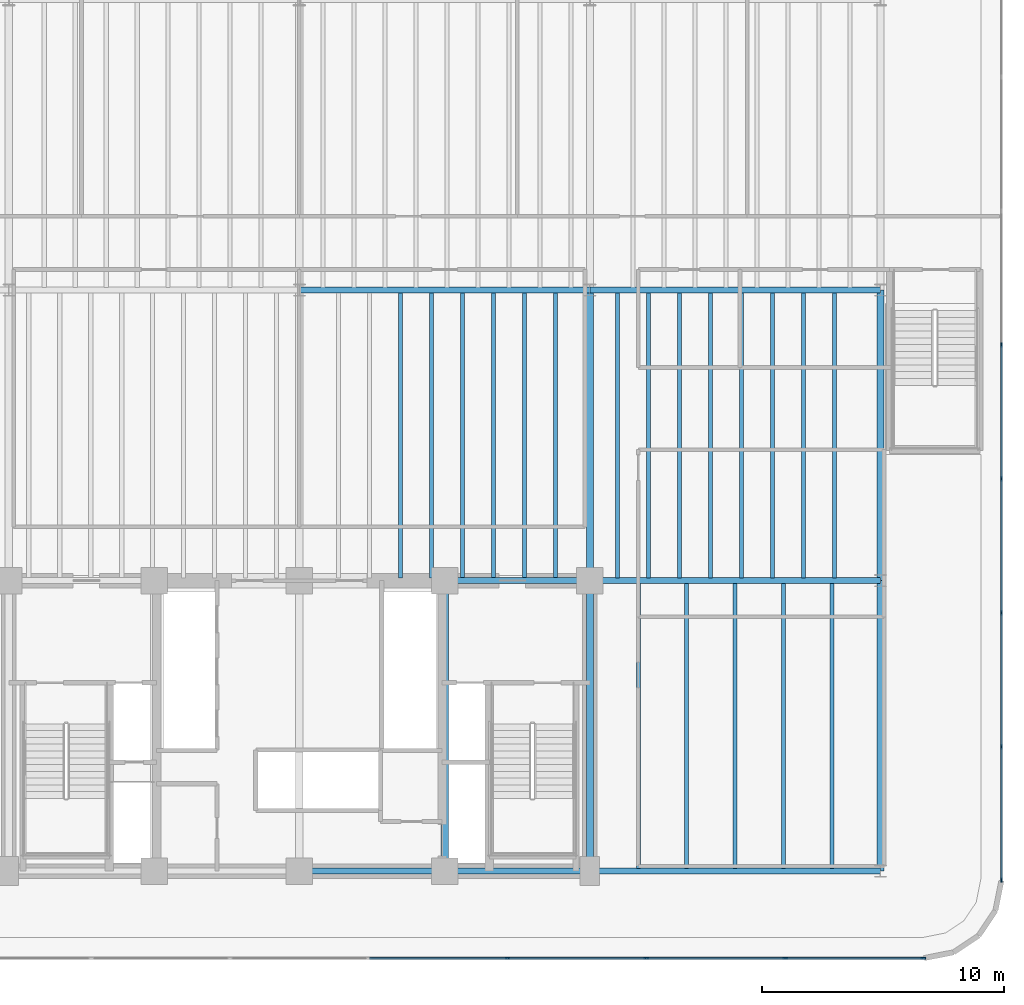
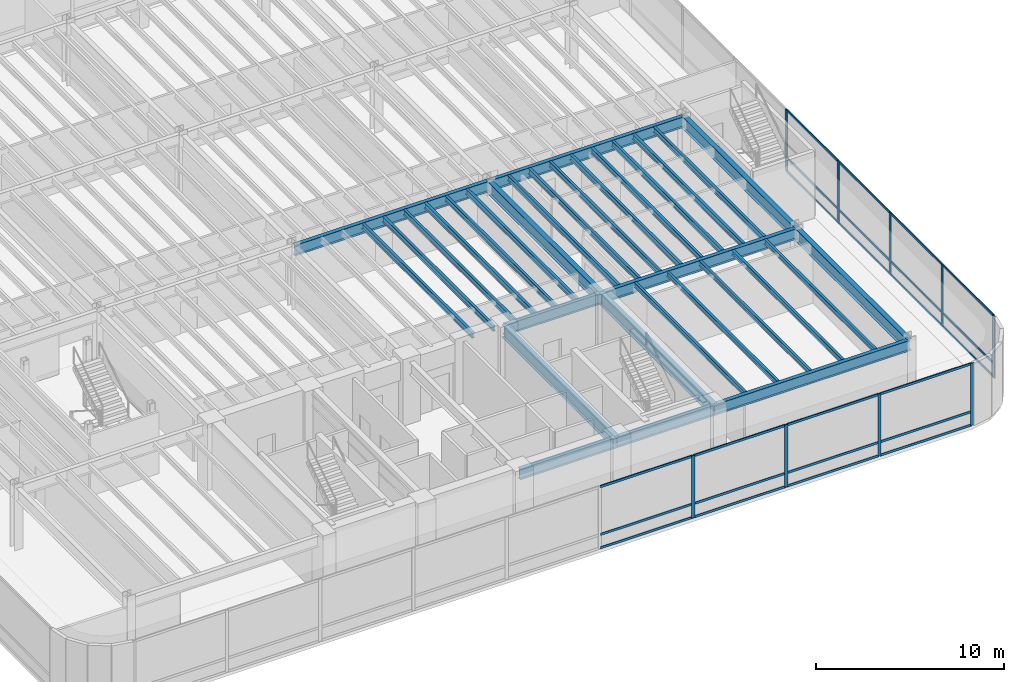
# One storey, part 5 of 18: 33 members, 31 beams, 2 elements without a shape of their own.
"""IFC4 building model written with IfcOpenShell, lengths in metres."""

import ifcopenshell
import ifcopenshell.guid

model = None  # the IFC model being written
_history = None  # IfcOwnerHistory: only IFC2X3 demands one
_inside = {}  # id of a spatial element -> (the spatial element, [elements in it])
_under = {}  # id of a project, library or spatial element -> (it, [spatial elements below it])
_declared = {}  # id of a project -> (the project, [libraries it declares])
_typed = {}  # id of a type object -> (the type object, [elements of that type])
_made_of = {}  # id of a material, layer set ... -> (it, [elements and type objects made of it])


def new_model(schema):
    """Start an empty IFC model of exactly this schema.

    Asked for "IFC4X3", IfcOpenShell would pick the latest addendum, in which some entities
    have other attributes; the version numbers below select the first issue.
    IFC2X3 requires an IfcOwnerHistory on every rooted entity: one is made here for all.
    """
    global model, _history
    if schema == "IFC4X3":
        model = ifcopenshell.file(schema_version=(4, 3, 0, 0))
    else:
        model = ifcopenshell.file(schema=schema)
    _inside.clear()
    _under.clear()
    _declared.clear()
    _typed.clear()
    _made_of.clear()
    _history = None
    if model.schema == "IFC2X3":
        org = make("IfcOrganization", Name="unknown")
        user = make(
            "IfcPersonAndOrganization",
            ThePerson=make("IfcPerson", FamilyName="unknown"),
            TheOrganization=org,
        )
        app = make(
            "IfcApplication",
            ApplicationDeveloper=org,
            Version="unknown",
            ApplicationFullName="unknown",
            ApplicationIdentifier="unknown",
        )
        _history = make(
            "IfcOwnerHistory",
            OwningUser=user,
            OwningApplication=app,
            ChangeAction="ADDED",
            CreationDate=0,
        )
    return model


def make(cls, **values):
    """One entity of the class cls with the attributes given. An attribute that is None is left unset."""
    return model.create_entity(
        cls, **{name: value for name, value in values.items() if value is not None}
    )


def rooted(cls, **values):
    """An entity with a GlobalId (a new one), such as an element, a storey or a relation."""
    return make(cls, GlobalId=ifcopenshell.guid.new(), OwnerHistory=_history, **values)


def si_unit(unit_type, name, prefix=None):
    """IfcSIUnit, for example si_unit("LENGTHUNIT", "METRE", prefix="MILLI")."""
    return make("IfcSIUnit", UnitType=unit_type, Prefix=prefix, Name=name)


def assignment(units):
    """IfcUnitAssignment: the units of a project."""
    return None if units is None else make("IfcUnitAssignment", Units=units)


def point(xyz):
    """IfcCartesianPoint."""
    return None if xyz is None else make("IfcCartesianPoint", Coordinates=xyz)


def direction(xyz):
    """IfcDirection."""
    return None if xyz is None else make("IfcDirection", DirectionRatios=xyz)


def frame(location, z_axis=None, x_axis=None):
    """IfcAxis2Placement3D, a coordinate frame: its origin and axes. An axis left out is left unset."""
    return make(
        "IfcAxis2Placement3D",
        Location=point(location),
        Axis=direction(z_axis),
        RefDirection=direction(x_axis),
    )


def frame_2d(location, x_axis=None):
    """IfcAxis2Placement2D, a coordinate frame in the plane: its origin and x axis."""
    return make(
        "IfcAxis2Placement2D", Location=point(location), RefDirection=direction(x_axis)
    )


def origin():
    """The frame at (0, 0, 0) with its axes left unset."""
    return frame((0.0, 0.0, 0.0))


def origin_2d():
    """The frame at (0, 0) in the plane with its x axis left unset."""
    return frame_2d((0.0, 0.0))


def place(relative_to, where):
    """IfcLocalPlacement: puts the frame where relative to a parent placement (None: the world)."""
    return make(
        "IfcLocalPlacement", PlacementRelTo=relative_to, RelativePlacement=where
    )


def context(
    kind, dimensions, precision=None, world=None, true_north=None, identifier=None
):
    """IfcGeometricRepresentationContext, for example the 3D "Model" context."""
    return make(
        "IfcGeometricRepresentationContext",
        ContextIdentifier=identifier,
        ContextType=kind,
        CoordinateSpaceDimension=dimensions,
        Precision=precision,
        WorldCoordinateSystem=world,
        TrueNorth=true_north,
    )


def subcontext(parent, identifier, kind, view, scale=None):
    """IfcGeometricRepresentationSubContext, for example "Body" below "Model"."""
    return make(
        "IfcGeometricRepresentationSubContext",
        ContextIdentifier=identifier,
        ContextType=kind,
        ParentContext=parent,
        TargetScale=scale,
        TargetView=view,
    )


def project(units=None, contexts=None):
    """IfcProject with its units and contexts."""
    return rooted(
        "IfcProject",
        Name="project",
        RepresentationContexts=contexts,
        UnitsInContext=assignment(units),
    )


def spatial(cls, under=None, at=None, **own):
    """A site, building, storey or space (cls), placed at a placement, below another one or the project."""
    s = rooted(cls, ObjectPlacement=at, **own)
    if under is not None:
        _under.setdefault(under.id(), (under, []))[1].append(s)
    return s


def profile(cls, at=None, kind="AREA", **sizes):
    """A parametric profile (cls). Its sizes go by their IFC names, for example OverallWidth=200.0."""
    return make(cls, ProfileType=kind, Position=at, **sizes)


def rectangle(**sizes):
    """IfcRectangleProfileDef."""
    return profile("IfcRectangleProfileDef", **sizes)


def i_section(**sizes):
    """IfcIShapeProfileDef."""
    return profile("IfcIShapeProfileDef", **sizes)


def extrude(swept, where, along, depth):
    """IfcExtrudedAreaSolid: the profile swept, set in the frame where, extruded along a direction by depth."""
    return make(
        "IfcExtrudedAreaSolid",
        SweptArea=swept,
        Position=where,
        ExtrudedDirection=direction(along),
        Depth=depth,
    )


def shape(context_of_items, identifier, shape_type, items):
    """IfcShapeRepresentation: the items that make up one representation, for example the "Body"."""
    return make(
        "IfcShapeRepresentation",
        ContextOfItems=context_of_items,
        RepresentationIdentifier=identifier,
        RepresentationType=shape_type,
        Items=items,
    )


def source(mapping_origin, context_of_items, identifier, shape_type, items):
    """IfcRepresentationMap: a shape defined once, which mapped items show again and again."""
    return make(
        "IfcRepresentationMap",
        MappingOrigin=mapping_origin,
        MappedRepresentation=shape(context_of_items, identifier, shape_type, items),
    )


def transform(
    local_origin,
    x_axis=None,
    y_axis=None,
    z_axis=None,
    scale=None,
    scale2=None,
    scale3=None,
    uniform=True,
):
    """IfcCartesianTransformationOperator3D, or its non-uniform kind. x_axis, y_axis, z_axis: its Axis1, 2, 3."""
    if uniform:
        return make(
            "IfcCartesianTransformationOperator3D",
            Axis1=direction(x_axis),
            Axis2=direction(y_axis),
            LocalOrigin=point(local_origin),
            Scale=scale,
            Axis3=direction(z_axis),
        )
    return make(
        "IfcCartesianTransformationOperator3DnonUniform",
        Axis1=direction(x_axis),
        Axis2=direction(y_axis),
        LocalOrigin=point(local_origin),
        Scale=scale,
        Axis3=direction(z_axis),
        Scale2=scale2,
        Scale3=scale3,
    )


def mapped(mapping_source, mapping_target):
    """IfcMappedItem: shows the shape of a source again, moved by a transform."""
    return make(
        "IfcMappedItem", MappingSource=mapping_source, MappingTarget=mapping_target
    )


def material(Name=None, Category=None):
    """IfcMaterial."""
    return make("IfcMaterial", Name=Name, Category=Category)


def layer(
    of_material, thickness, ventilated=None, Name=None, Category=None, Priority=None
):
    """IfcMaterialLayer: one layer of a wall or slab, of a material (None: an air gap)."""
    return make(
        "IfcMaterialLayer",
        Material=of_material,
        LayerThickness=thickness,
        IsVentilated=ventilated,
        Name=Name,
        Category=Category,
        Priority=Priority,
    )


def layer_set(layers, Name=None):
    """IfcMaterialLayerSet."""
    return make("IfcMaterialLayerSet", MaterialLayers=layers, LayerSetName=Name)


def material_profile(
    of_material, cross_section, Name=None, Category=None, Priority=None
):
    """IfcMaterialProfile: a cross section and its material."""
    return make(
        "IfcMaterialProfile",
        Name=Name,
        Material=of_material,
        Profile=cross_section,
        Priority=Priority,
        Category=Category,
    )


def profile_set(profiles, Name=None, composite=None):
    """IfcMaterialProfileSet."""
    return make(
        "IfcMaterialProfileSet",
        Name=Name,
        MaterialProfiles=profiles,
        CompositeProfile=composite,
    )


def made_of(thing, what):
    """Note that an element or type object is made of a material, layer set ...; save() writes the relation."""
    if what is not None:
        _made_of.setdefault(what.id(), (what, []))[1].append(thing)
    return thing


def type_object(cls, material=None, **own):
    """A type object (cls), such as IfcWallType, which elements share."""
    return made_of(rooted(cls, **own), material)


def element(
    cls,
    number,
    at=None,
    inside=None,
    cuts=None,
    type_object=None,
    material=None,
    context=None,
    identifier="Body",
    shape_type=None,
    held_by="IfcProductDefinitionShape",
    body=None,
    shapes=None,
    **own,
):
    """One element of the class cls, such as IfcWall. Its Tag is "e" and its number.

    at: its placement. inside: the storey or other place that contains it. cuts: it is an
    opening in that element (IfcRelVoidsElement). A single representation is given by context,
    identifier, shape_type and body (its items); several are given by shapes. held_by: the class
    of the entity that holds the representations. save() writes the other relations.
    """
    e = rooted(cls, Tag="e%d" % number, ObjectPlacement=at, **own)
    if body is not None:
        shapes = [shape(context, identifier, shape_type, body)]
    if shapes is not None:
        e.Representation = make(held_by, Representations=shapes)
    if inside is not None:
        _inside.setdefault(inside.id(), (inside, []))[1].append(e)
    if cuts is not None:
        rooted(
            "IfcRelVoidsElement", RelatingBuildingElement=cuts, RelatedOpeningElement=e
        )
    if type_object is not None:
        _typed.setdefault(type_object.id(), (type_object, []))[1].append(e)
    return made_of(e, material)


def aggregate(whole, parts):
    """IfcRelAggregates: a whole, such as a stair, and the parts it consists of."""
    return rooted("IfcRelAggregates", RelatingObject=whole, RelatedObjects=parts)


def save(model, path):
    """Write the relations noted so far, then the file.

    IfcRelAggregates (storeys below a building ...), IfcRelContainedInSpatialStructure (elements
    in a storey), IfcRelDefinesByType, IfcRelAssociatesMaterial and IfcRelDeclares: one each for
    every whole, place, type object, material and project.
    """
    for whole, parts in _under.values():
        aggregate(whole, parts)
    for where, things in _inside.values():
        rooted(
            "IfcRelContainedInSpatialStructure",
            RelatedElements=things,
            RelatingStructure=where,
        )
    for kind, things in _typed.values():
        rooted("IfcRelDefinesByType", RelatedObjects=things, RelatingType=kind)
    for what, things in _made_of.values():
        rooted("IfcRelAssociatesMaterial", RelatedObjects=things, RelatingMaterial=what)
    for by, libraries in _declared.values():
        rooted("IfcRelDeclares", RelatingContext=by, RelatedDefinitions=libraries)
    model.write(path)


model = new_model("IFC4")

# Units and contexts
model_context = context("Model", 3, precision=1e-05, world=origin(), true_north=direction((0.0, 1.0)))
body_context = subcontext(model_context, "Body", "Model", "MODEL_VIEW")
ifc_project = project(units=[si_unit("LENGTHUNIT", "METRE"), si_unit("AREAUNIT", "SQUARE_METRE"), si_unit("VOLUMEUNIT", "CUBIC_METRE"), si_unit("PLANEANGLEUNIT", "RADIAN"), si_unit("MASSUNIT", "GRAM", prefix="KILO")], contexts=[model_context])

# Site, building, storey
site_placement = place(None, origin())
site = spatial("IfcSite", under=ifc_project, at=site_placement, CompositionType="ELEMENT")
building_placement = place(site_placement, origin())
building = spatial("IfcBuilding", under=site, at=building_placement, Name="Brelvock Crest Care Tower", CompositionType="ELEMENT")
storey_placement = place(building_placement, frame((0.0, 0.0, 9.719970703125)))
storey = spatial("IfcBuildingStorey", under=building, at=storey_placement, Name="L02", CompositionType="ELEMENT", Elevation=9.719970703125)

# Beams
ifc_material_1 = material(Name="Steel Grade 350", Category="steel")
ifc_material_profile_1 = material_profile(ifc_material_1, i_section(OverallWidth=0.25, OverallDepth=0.699951171875, WebThickness=0.011962890625, FlangeThickness=0.02001953125, at=origin_2d()), Name="700WB150")
ifc_profile_set_1 = profile_set([ifc_material_profile_1], Name="Steel Grade 350")
beam_type_1 = type_object("IfcBeamType", Name="BM-G4", PredefinedType="BEAM", material=ifc_profile_set_1)
shared_shape_1 = source(origin(), body_context, "Body", "SweptSolid", [
    extrude(i_section(OverallWidth=0.25, OverallDepth=0.699951171875, WebThickness=0.011962890625, FlangeThickness=0.02001953125, at=origin_2d()), origin(), (0.0, 0.0, 1.0), 6.0),
])
for number, where, z_axis, x_axis, name in (
    (1, (36.0, 6.0, 3.68994140625), (1.0, 0.0, 0.0), (0.0, 1.0, 0.0), "BM-CORES-L02-3"),
    (2, (42.0, 6.0, 3.68994140625), (1.0, 0.0, 0.0), (0.0, 1.0, 0.0), "BM-CORES-L02-4"),
    (3, (42.0, 18.0, 3.68994140625), (1.0, 0.0, 0.0), (0.0, 1.0, 0.0), "BM-COREN-L02-4"),
):
    element("IfcBeam", number, at=place(storey_placement, frame(where, z_axis=z_axis, x_axis=x_axis)), inside=storey, type_object=beam_type_1, Name=name, PredefinedType="BEAM", context=body_context, shape_type="MappedRepresentation", body=[
        mapped(shared_shape_1, transform((0.0, 0.0, 0.0), x_axis=(1.0, 0.0, 0.0), y_axis=(0.0, 1.0, 0.0), z_axis=(0.0, 0.0, 1.0), scale=1.0)),
    ])
ifc_material_profile_2 = material_profile(ifc_material_1, i_section(OverallWidth=0.300048828125, OverallDepth=0.800048828125, WebThickness=0.013916015625, FlangeThickness=0.02197265625, at=origin_2d()), Name="800WB192")
ifc_profile_set_2 = profile_set([ifc_material_profile_2], Name="Steel Grade 350")
beam_type_2 = type_object("IfcBeamType", Name="BM-G5", PredefinedType="BEAM", material=ifc_profile_set_2)
shared_shape_2 = source(origin(), body_context, "Body", "SweptSolid", [
    extrude(i_section(OverallWidth=0.300048828125, OverallDepth=0.800048828125, WebThickness=0.013916015625, FlangeThickness=0.02197265625, at=origin_2d()), origin(), (0.0, 0.0, 1.0), 12.0),
])
for number, where, z_axis, x_axis, name in (
    (4, (42.0, 6.0, 3.64013671875), (0.0, 1.0, 0.0), (-1.0, 0.0, 0.0), "BM-COREX-L02-4"),
    (5, (48.0, 6.0, 3.64013671875), (0.0, 1.0, 0.0), (-1.0, 0.0, 0.0), "BM-COREX-L02-5"),
    (6, (48.0, 18.0, 3.64013671875), (0.0, 1.0, 0.0), (-1.0, 0.0, 0.0), "BM-PODY-L02-48-18"),
    (7, (60.0, 6.0, 3.64013671875), (0.0, 1.0, 0.0), (-1.0, 0.0, 0.0), "BM-PODY-L02-60-6"),
    (8, (60.0, 18.0, 3.64013671875), (0.0, 1.0, 0.0), (-1.0, 0.0, 0.0), "BM-PODY-L02-60-18"),
):
    element("IfcBeam", number, at=place(storey_placement, frame(where, z_axis=z_axis, x_axis=x_axis)), inside=storey, type_object=beam_type_2, Name=name, PredefinedType="BEAM", context=body_context, shape_type="MappedRepresentation", body=[
        mapped(shared_shape_2, transform((0.0, 0.0, 0.0), x_axis=(1.0, 0.0, 0.0), y_axis=(0.0, 1.0, 0.0), z_axis=(0.0, 0.0, 1.0), scale=1.0)),
    ])
ifc_material_profile_3 = material_profile(ifc_material_1, i_section(OverallWidth=0.172119140625, OverallDepth=0.35888671875, WebThickness=0.008056640625, FlangeThickness=0.012939453125, FilletRadius=0.011474609375, at=origin_2d()), Name="360UB56.7")
ifc_profile_set_3 = profile_set([ifc_material_profile_3], Name="Steel Grade 350")
beam_type_3 = type_object("IfcBeamType", Name="BM-J1", PredefinedType="JOIST", material=ifc_profile_set_3)
shared_shape_3 = source(origin(), body_context, "Body", "SweptSolid", [
    extrude(i_section(OverallWidth=0.172119140625, OverallDepth=0.35888671875, WebThickness=0.008056640625, FlangeThickness=0.012939453125, FilletRadius=0.011474609375, at=origin_2d()), origin(), (0.0, 0.0, 1.0), 11.77001953125),
])
for number, where, z_axis, x_axis, name in (
    (9, (40.179931640625, 18.114990234375, 3.860595703125), (0.0, 1.0, 0.0), (-1.0, 0.0, 0.0), "BM-PODJ-L02-4018-18"),
    (10, (41.4599609375, 18.114990234375, 3.860595703125), (0.0, 1.0, 0.0), (-1.0, 0.0, 0.0), "BM-PODJ-L02-4146-18"),
    (11, (42.739990234375, 18.114990234375, 3.860595703125), (0.0, 1.0, 0.0), (-1.0, 0.0, 0.0), "BM-PODJ-L02-4274-18"),
    (12, (44.02001953125, 18.114990234375, 3.860595703125), (0.0, 1.0, 0.0), (-1.0, 0.0, 0.0), "BM-PODJ-L02-4402-18"),
    (13, (45.300048828125, 18.114990234375, 3.860595703125), (0.0, 1.0, 0.0), (-1.0, 0.0, 0.0), "BM-PODJ-L02-4530-18"),
    (14, (46.580078125, 18.114990234375, 3.860595703125), (0.0, 1.0, 0.0), (-1.0, 0.0, 0.0), "BM-PODJ-L02-4658-18"),
    (15, (49.139892578125, 18.114990234375, 3.860595703125), (0.0, 1.0, 0.0), (-1.0, 0.0, 0.0), "BM-PODJ-L02-4914-18"),
    (16, (50.419921875, 18.114990234375, 3.860595703125), (0.0, 1.0, 0.0), (-1.0, 0.0, 0.0), "BM-PODJ-L02-5042-18"),
    (17, (51.699951171875, 18.114990234375, 3.860595703125), (0.0, 1.0, 0.0), (-1.0, 0.0, 0.0), "BM-PODJ-L02-5170-18"),
    (18, (52.97998046875, 18.114990234375, 3.860595703125), (0.0, 1.0, 0.0), (-1.0, 0.0, 0.0), "BM-PODJ-L02-5298-18"),
    (19, (54.260009765625, 18.114990234375, 3.860595703125), (0.0, 1.0, 0.0), (-1.0, 0.0, 0.0), "BM-PODJ-L02-5426-18"),
    (20, (55.5400390625, 18.114990234375, 3.860595703125), (0.0, 1.0, 0.0), (-1.0, 0.0, 0.0), "BM-PODJ-L02-5554-18"),
    (21, (56.820068359375, 18.114990234375, 3.860595703125), (0.0, 1.0, 0.0), (-1.0, 0.0, 0.0), "BM-PODJ-L02-5682-18"),
    (22, (58.10009765625, 18.114990234375, 3.860595703125), (0.0, 1.0, 0.0), (-1.0, 0.0, 0.0), "BM-PODJ-L02-5810-18"),
):
    element("IfcBeam", number, at=place(storey_placement, frame(where, z_axis=z_axis, x_axis=x_axis)), inside=storey, type_object=beam_type_3, Name=name, PredefinedType="JOIST", context=body_context, shape_type="MappedRepresentation", body=[
        mapped(shared_shape_3, transform((0.0, 0.0, 0.0), x_axis=(1.0, 0.0, 0.0), y_axis=(0.0, 1.0, 0.0), z_axis=(0.0, 0.0, 1.0), scale=1.0)),
    ])
ifc_material_profile_4 = material_profile(ifc_material_1, i_section(OverallWidth=0.166015625, OverallDepth=0.306884765625, WebThickness=0.006591796875, FlangeThickness=0.01171875, FilletRadius=0.011474609375, at=origin_2d()), Name="310UB46.2")
ifc_profile_set_4 = profile_set([ifc_material_profile_4], Name="Steel Grade 350")
beam_type_4 = type_object("IfcBeamType", Name="BM-J2", PredefinedType="JOIST", material=ifc_profile_set_4)
shared_shape_4 = source(origin(), body_context, "Body", "SweptSolid", [
    extrude(i_section(OverallWidth=0.166015625, OverallDepth=0.306884765625, WebThickness=0.006591796875, FlangeThickness=0.01171875, FilletRadius=0.011474609375, at=origin_2d()), origin(), (0.0, 0.0, 1.0), 11.77001953125),
])
for number, where, z_axis, x_axis, name in (
    (23, (50.0, 6.114990234375, 3.886474609375), (0.0, 1.0, 0.0), (-1.0, 0.0, 0.0), "BM-PODSJ-L02-500"),
    (24, (52.0, 6.114990234375, 3.886474609375), (0.0, 1.0, 0.0), (-1.0, 0.0, 0.0), "BM-PODSJ-L02-520"),
    (25, (54.0, 6.114990234375, 3.886474609375), (0.0, 1.0, 0.0), (-1.0, 0.0, 0.0), "BM-PODSJ-L02-540"),
    (26, (56.0, 6.114990234375, 3.886474609375), (0.0, 1.0, 0.0), (-1.0, 0.0, 0.0), "BM-PODSJ-L02-560"),
    (27, (58.0, 6.114990234375, 3.886474609375), (0.0, 1.0, 0.0), (-1.0, 0.0, 0.0), "BM-PODSJ-L02-580"),
):
    element("IfcBeam", number, at=place(storey_placement, frame(where, z_axis=z_axis, x_axis=x_axis)), inside=storey, type_object=beam_type_4, Name=name, PredefinedType="JOIST", context=body_context, shape_type="MappedRepresentation", body=[
        mapped(shared_shape_4, transform((0.0, 0.0, 0.0), x_axis=(1.0, 0.0, 0.0), y_axis=(0.0, 1.0, 0.0), z_axis=(0.0, 0.0, 1.0), scale=1.0)),
    ])
shared_shape_5 = source(origin(), body_context, "Body", "SweptSolid", [
    extrude(i_section(OverallWidth=0.25, OverallDepth=0.699951171875, WebThickness=0.011962890625, FlangeThickness=0.02001953125, at=origin_2d()), origin(), (0.0, 0.0, 1.0), 12.0),
])
for number, where, z_axis, x_axis, name in (
    (28, (48.0, 6.0, 3.68994140625), (1.0, 0.0, 0.0), (0.0, 1.0, 0.0), "BM-PODX-L02-6-48"),
    (29, (48.0, 18.0, 3.68994140625), (1.0, 0.0, 0.0), (0.0, 1.0, 0.0), "BM-PODX-L02-18-48"),
    (30, (36.0, 30.0, 3.68994140625), (1.0, 0.0, 0.0), (0.0, 1.0, 0.0), "BM-PODX-L02-30-36"),
    (31, (48.0, 30.0, 3.68994140625), (1.0, 0.0, 0.0), (0.0, 1.0, 0.0), "BM-PODX-L02-30-48"),
):
    element("IfcBeam", number, at=place(storey_placement, frame(where, z_axis=z_axis, x_axis=x_axis)), inside=storey, type_object=beam_type_1, Name=name, PredefinedType="BEAM", context=body_context, shape_type="MappedRepresentation", body=[
        mapped(shared_shape_5, transform((0.0, 0.0, 0.0), x_axis=(1.0, 0.0, 0.0), y_axis=(0.0, 1.0, 0.0), z_axis=(0.0, 0.0, 1.0), scale=1.0)),
    ])

# Curtain wall, members
ifc_material_2 = material(Name="Dark Glass Double Glazed Low-E", Category="glass")
ifc_layer = layer(ifc_material_2, 0.179931640625, Name="CWS-1")
ifc_layer_set = layer_set([ifc_layer], Name="Dark Glass Double Glazed Low-E")
curtain_wall_type = type_object("IfcCurtainWallType", Name="CWS-1", PredefinedType="NOTDEFINED", material=ifc_layer_set)
curtain_wall_1_placement = place(storey_placement, origin())
curtain_wall_1 = element("IfcCurtainWall", 32, at=curtain_wall_1_placement, inside=storey, type_object=curtain_wall_type, Name="L02 Curtain Wall E14", PredefinedType="NOTDEFINED")
ifc_material_3 = material(Name="Aluminium 6063-T6", Category="aluminium")
ifc_material_profile_5 = material_profile(ifc_material_3, rectangle(XDim=0.06494140625, YDim=0.199951171875, at=origin_2d()), Name="ALU65x200")
ifc_profile_set_5 = profile_set([ifc_material_profile_5], Name="Aluminium 6063-T6")
member_type_1 = type_object("IfcMemberType", Name="CWM-1", PredefinedType="MULLION", material=ifc_profile_set_5)
shared_shape_6 = source(origin(), body_context, "Body", "SweptSolid", [
    extrude(rectangle(XDim=0.06494140625, YDim=0.199951171875, at=origin_2d()), origin(), (0.0, 0.0, 1.0), 4.0400390625),
])
member_1_placement = place(storey_placement, frame((65.0, 27.7333984375, 0.0), z_axis=(0.0, 0.0, 1.0), x_axis=(1.0, 0.0, 0.0)))
member_1 = element("IfcMember", 33, at=member_1_placement, type_object=member_type_1, Name="CW-1 mullion 6", PredefinedType="MULLION", context=body_context, shape_type="MappedRepresentation", body=[
    mapped(shared_shape_6, transform((0.0, 0.0, 0.0), x_axis=(1.0, 0.0, 0.0), y_axis=(0.0, 1.0, 0.0), z_axis=(0.0, 0.0, 1.0), scale=1.0)),
])
member_2_placement = place(storey_placement, frame((65.0, 22.199951171875, 0.0), z_axis=(0.0, 0.0, 1.0), x_axis=(1.0, 0.0, 0.0)))
member_2 = element("IfcMember", 34, at=member_2_placement, type_object=member_type_1, Name="CW-1 mullion 7", PredefinedType="MULLION", context=body_context, shape_type="MappedRepresentation", body=[
    mapped(shared_shape_6, transform((0.0, 0.0, 0.0), x_axis=(1.0, 0.0, 0.0), y_axis=(0.0, 1.0, 0.0), z_axis=(0.0, 0.0, 1.0), scale=1.0)),
])
member_3_placement = place(storey_placement, frame((65.0, 16.666748046875, 0.0), z_axis=(0.0, 0.0, 1.0), x_axis=(1.0, 0.0, 0.0)))
member_3 = element("IfcMember", 35, at=member_3_placement, type_object=member_type_1, Name="CW-1 mullion 8", PredefinedType="MULLION", context=body_context, shape_type="MappedRepresentation", body=[
    mapped(shared_shape_6, transform((0.0, 0.0, 0.0), x_axis=(1.0, 0.0, 0.0), y_axis=(0.0, 1.0, 0.0), z_axis=(0.0, 0.0, 1.0), scale=1.0)),
])
member_4_placement = place(storey_placement, frame((65.0, 11.13330078125, 0.0), z_axis=(0.0, 0.0, 1.0), x_axis=(1.0, 0.0, 0.0)))
member_4 = element("IfcMember", 36, at=member_4_placement, type_object=member_type_1, Name="CW-1 mullion 9", PredefinedType="MULLION", context=body_context, shape_type="MappedRepresentation", body=[
    mapped(shared_shape_6, transform((0.0, 0.0, 0.0), x_axis=(1.0, 0.0, 0.0), y_axis=(0.0, 1.0, 0.0), z_axis=(0.0, 0.0, 1.0), scale=1.0)),
])
member_5_placement = place(storey_placement, frame((65.0, 5.632568359375, 0.0), z_axis=(0.0, 0.0, 1.0), x_axis=(1.0, 0.0, 0.0)))
member_5 = element("IfcMember", 37, at=member_5_placement, type_object=member_type_1, Name="CW-1 mullion 10", PredefinedType="MULLION", context=body_context, shape_type="MappedRepresentation", body=[
    mapped(shared_shape_6, transform((0.0, 0.0, 0.0), x_axis=(1.0, 0.0, 0.0), y_axis=(0.0, 1.0, 0.0), z_axis=(0.0, 0.0, 1.0), scale=1.0)),
])

curtain_wall_2_placement = place(storey_placement, origin())
curtain_wall_2 = element("IfcCurtainWall", 38, at=curtain_wall_2_placement, inside=storey, type_object=curtain_wall_type, Name="L02 Curtain Wall E19", PredefinedType="NOTDEFINED")
member_6_placement = place(storey_placement, frame((61.767578125, 2.39990234375, 0.0), z_axis=(0.0, 0.0, 1.0), x_axis=(0.0, -1.0, 0.0)))
member_6 = element("IfcMember", 39, at=member_6_placement, type_object=member_type_1, Name="CW-1 mullion 1", PredefinedType="MULLION", context=body_context, shape_type="MappedRepresentation", body=[
    mapped(shared_shape_6, transform((0.0, 0.0, 0.0), x_axis=(1.0, 0.0, 0.0), y_axis=(0.0, 1.0, 0.0), z_axis=(0.0, 0.0, 1.0), scale=1.0)),
])
member_7_placement = place(storey_placement, frame((56.066650390625, 2.39990234375, 0.0), z_axis=(0.0, 0.0, 1.0), x_axis=(0.0, -1.0, 0.0)))
member_7 = element("IfcMember", 40, at=member_7_placement, type_object=member_type_1, Name="CW-1 mullion 2", PredefinedType="MULLION", context=body_context, shape_type="MappedRepresentation", body=[
    mapped(shared_shape_6, transform((0.0, 0.0, 0.0), x_axis=(1.0, 0.0, 0.0), y_axis=(0.0, 1.0, 0.0), z_axis=(0.0, 0.0, 1.0), scale=1.0)),
])
member_8_placement = place(storey_placement, frame((50.333251953125, 2.39990234375, 0.0), z_axis=(0.0, 0.0, 1.0), x_axis=(0.0, -1.0, 0.0)))
member_8 = element("IfcMember", 41, at=member_8_placement, type_object=member_type_1, Name="CW-1 mullion 3", PredefinedType="MULLION", context=body_context, shape_type="MappedRepresentation", body=[
    mapped(shared_shape_6, transform((0.0, 0.0, 0.0), x_axis=(1.0, 0.0, 0.0), y_axis=(0.0, 1.0, 0.0), z_axis=(0.0, 0.0, 1.0), scale=1.0)),
])
member_9_placement = place(storey_placement, frame((44.60009765625, 2.39990234375, 0.0), z_axis=(0.0, 0.0, 1.0), x_axis=(0.0, -1.0, 0.0)))
member_9 = element("IfcMember", 42, at=member_9_placement, type_object=member_type_1, Name="CW-1 mullion 4", PredefinedType="MULLION", context=body_context, shape_type="MappedRepresentation", body=[
    mapped(shared_shape_6, transform((0.0, 0.0, 0.0), x_axis=(1.0, 0.0, 0.0), y_axis=(0.0, 1.0, 0.0), z_axis=(0.0, 0.0, 1.0), scale=1.0)),
])

# Member
ifc_material_profile_6 = material_profile(ifc_material_3, rectangle(XDim=0.06494140625, YDim=0.14990234375, at=origin_2d()), Name="ALU65x150")
ifc_profile_set_6 = profile_set([ifc_material_profile_6], Name="Aluminium 6063-T6")
member_type_2 = type_object("IfcMemberType", Name="CWT-1", PredefinedType="USERDEFINED", material=ifc_profile_set_6)
shared_shape_7 = source(origin(), body_context, "Body", "SweptSolid", [
    extrude(rectangle(XDim=0.06494140625, YDim=0.14990234375, at=origin_2d()), origin(), (0.0, 0.0, 1.0), 5.435791015625),
])
member_10_placement = place(storey_placement, frame((65.0, 11.100830078125, 0.032470703125), z_axis=(0.0, -1.0, 0.0), x_axis=(1.0, 0.0, 0.0)))
member_10 = element("IfcMember", 43, at=member_10_placement, type_object=member_type_2, Name="CW-1 transom 9.1", ObjectType="TRANSOM", PredefinedType="USERDEFINED", context=body_context, shape_type="MappedRepresentation", body=[
    mapped(shared_shape_7, transform((0.0, 0.0, 0.0), x_axis=(1.0, 0.0, 0.0), y_axis=(0.0, 1.0, 0.0), z_axis=(0.0, 0.0, 1.0), scale=1.0)),
])

member_11_placement = place(storey_placement, frame((65.0, 11.100830078125, 0.900146484375), z_axis=(0.0, -1.0, 0.0), x_axis=(1.0, 0.0, 0.0)))
member_11 = element("IfcMember", 44, at=member_11_placement, type_object=member_type_2, Name="CW-1 transom 9.2", ObjectType="TRANSOM", PredefinedType="USERDEFINED", context=body_context, shape_type="MappedRepresentation", body=[
    mapped(shared_shape_7, transform((0.0, 0.0, 0.0), x_axis=(1.0, 0.0, 0.0), y_axis=(0.0, 1.0, 0.0), z_axis=(0.0, 0.0, 1.0), scale=1.0)),
])

member_12_placement = place(storey_placement, frame((65.0, 11.100830078125, 4.007568359375), z_axis=(0.0, -1.0, 0.0), x_axis=(1.0, 0.0, 0.0)))
member_12 = element("IfcMember", 45, at=member_12_placement, type_object=member_type_2, Name="CW-1 transom 9.3", ObjectType="TRANSOM", PredefinedType="USERDEFINED", context=body_context, shape_type="MappedRepresentation", body=[
    mapped(shared_shape_7, transform((0.0, 0.0, 0.0), x_axis=(1.0, 0.0, 0.0), y_axis=(0.0, 1.0, 0.0), z_axis=(0.0, 0.0, 1.0), scale=1.0)),
])

shared_shape_8 = source(origin(), body_context, "Body", "SweptSolid", [
    extrude(rectangle(XDim=0.06494140625, YDim=0.14990234375, at=origin_2d()), origin(), (0.0, 0.0, 1.0), 5.468505859375),
])
member_13_placement = place(storey_placement, frame((65.0, 27.700927734375, 0.032470703125), z_axis=(0.0, -1.0, 0.0), x_axis=(1.0, 0.0, 0.0)))
member_13 = element("IfcMember", 46, at=member_13_placement, type_object=member_type_2, Name="CW-1 transom 6.1", ObjectType="TRANSOM", PredefinedType="USERDEFINED", context=body_context, shape_type="MappedRepresentation", body=[
    mapped(shared_shape_8, transform((0.0, 0.0, 0.0), x_axis=(1.0, 0.0, 0.0), y_axis=(0.0, 1.0, 0.0), z_axis=(0.0, 0.0, 1.0), scale=1.0)),
])

member_14_placement = place(storey_placement, frame((65.0, 27.700927734375, 0.900146484375), z_axis=(0.0, -1.0, 0.0), x_axis=(1.0, 0.0, 0.0)))
member_14 = element("IfcMember", 47, at=member_14_placement, type_object=member_type_2, Name="CW-1 transom 6.2", ObjectType="TRANSOM", PredefinedType="USERDEFINED", context=body_context, shape_type="MappedRepresentation", body=[
    mapped(shared_shape_8, transform((0.0, 0.0, 0.0), x_axis=(1.0, 0.0, 0.0), y_axis=(0.0, 1.0, 0.0), z_axis=(0.0, 0.0, 1.0), scale=1.0)),
])

member_15_placement = place(storey_placement, frame((65.0, 27.700927734375, 4.007568359375), z_axis=(0.0, -1.0, 0.0), x_axis=(1.0, 0.0, 0.0)))
member_15 = element("IfcMember", 48, at=member_15_placement, type_object=member_type_2, Name="CW-1 transom 6.3", ObjectType="TRANSOM", PredefinedType="USERDEFINED", context=body_context, shape_type="MappedRepresentation", body=[
    mapped(shared_shape_8, transform((0.0, 0.0, 0.0), x_axis=(1.0, 0.0, 0.0), y_axis=(0.0, 1.0, 0.0), z_axis=(0.0, 0.0, 1.0), scale=1.0)),
])

member_16_placement = place(storey_placement, frame((65.0, 16.63427734375, 0.032470703125), z_axis=(0.0, -1.0, 0.0), x_axis=(1.0, 0.0, 0.0)))
member_16 = element("IfcMember", 49, at=member_16_placement, type_object=member_type_2, Name="CW-1 transom 8.1", ObjectType="TRANSOM", PredefinedType="USERDEFINED", context=body_context, shape_type="MappedRepresentation", body=[
    mapped(shared_shape_8, transform((0.0, 0.0, 0.0), x_axis=(1.0, 0.0, 0.0), y_axis=(0.0, 1.0, 0.0), z_axis=(0.0, 0.0, 1.0), scale=1.0)),
])

member_17_placement = place(storey_placement, frame((65.0, 16.63427734375, 0.900146484375), z_axis=(0.0, -1.0, 0.0), x_axis=(1.0, 0.0, 0.0)))
member_17 = element("IfcMember", 50, at=member_17_placement, type_object=member_type_2, Name="CW-1 transom 8.2", ObjectType="TRANSOM", PredefinedType="USERDEFINED", context=body_context, shape_type="MappedRepresentation", body=[
    mapped(shared_shape_8, transform((0.0, 0.0, 0.0), x_axis=(1.0, 0.0, 0.0), y_axis=(0.0, 1.0, 0.0), z_axis=(0.0, 0.0, 1.0), scale=1.0)),
])

member_18_placement = place(storey_placement, frame((65.0, 16.63427734375, 4.007568359375), z_axis=(0.0, -1.0, 0.0), x_axis=(1.0, 0.0, 0.0)))
member_18 = element("IfcMember", 51, at=member_18_placement, type_object=member_type_2, Name="CW-1 transom 8.3", ObjectType="TRANSOM", PredefinedType="USERDEFINED", context=body_context, shape_type="MappedRepresentation", body=[
    mapped(shared_shape_8, transform((0.0, 0.0, 0.0), x_axis=(1.0, 0.0, 0.0), y_axis=(0.0, 1.0, 0.0), z_axis=(0.0, 0.0, 1.0), scale=1.0)),
])

shared_shape_9 = source(origin(), body_context, "Body", "SweptSolid", [
    extrude(rectangle(XDim=0.06494140625, YDim=0.14990234375, at=origin_2d()), origin(), (0.0, 0.0, 1.0), 5.46826171875),
])
member_19_placement = place(storey_placement, frame((65.0, 22.16748046875, 0.032470703125), z_axis=(0.0, -1.0, 0.0), x_axis=(1.0, 0.0, 0.0)))
member_19 = element("IfcMember", 52, at=member_19_placement, type_object=member_type_2, Name="CW-1 transom 7.1", ObjectType="TRANSOM", PredefinedType="USERDEFINED", context=body_context, shape_type="MappedRepresentation", body=[
    mapped(shared_shape_9, transform((0.0, 0.0, 0.0), x_axis=(1.0, 0.0, 0.0), y_axis=(0.0, 1.0, 0.0), z_axis=(0.0, 0.0, 1.0), scale=1.0)),
])

member_20_placement = place(storey_placement, frame((65.0, 22.16748046875, 0.900146484375), z_axis=(0.0, -1.0, 0.0), x_axis=(1.0, 0.0, 0.0)))
member_20 = element("IfcMember", 53, at=member_20_placement, type_object=member_type_2, Name="CW-1 transom 7.2", ObjectType="TRANSOM", PredefinedType="USERDEFINED", context=body_context, shape_type="MappedRepresentation", body=[
    mapped(shared_shape_9, transform((0.0, 0.0, 0.0), x_axis=(1.0, 0.0, 0.0), y_axis=(0.0, 1.0, 0.0), z_axis=(0.0, 0.0, 1.0), scale=1.0)),
])

member_21_placement = place(storey_placement, frame((65.0, 22.16748046875, 4.007568359375), z_axis=(0.0, -1.0, 0.0), x_axis=(1.0, 0.0, 0.0)))
member_21 = element("IfcMember", 54, at=member_21_placement, type_object=member_type_2, Name="CW-1 transom 7.3", ObjectType="TRANSOM", PredefinedType="USERDEFINED", context=body_context, shape_type="MappedRepresentation", body=[
    mapped(shared_shape_9, transform((0.0, 0.0, 0.0), x_axis=(1.0, 0.0, 0.0), y_axis=(0.0, 1.0, 0.0), z_axis=(0.0, 0.0, 1.0), scale=1.0)),
])

aggregate(curtain_wall_1, [member_1, member_2, member_3, member_4, member_5, member_13, member_14, member_15, member_19, member_20, member_21, member_16, member_17, member_18, member_10, member_11, member_12])

shared_shape_10 = source(origin(), body_context, "Body", "SweptSolid", [
    extrude(rectangle(XDim=0.06494140625, YDim=0.14990234375, at=origin_2d()), origin(), (0.0, 0.0, 1.0), 5.635986328125),
])
member_22_placement = place(storey_placement, frame((61.735107421875, 2.39990234375, 0.032470703125), z_axis=(-1.0, 0.0, 0.0), x_axis=(0.0, -1.0, 0.0)))
member_22 = element("IfcMember", 55, at=member_22_placement, type_object=member_type_2, Name="CW-1 transom 1.1", ObjectType="TRANSOM", PredefinedType="USERDEFINED", context=body_context, shape_type="MappedRepresentation", body=[
    mapped(shared_shape_10, transform((0.0, 0.0, 0.0), x_axis=(1.0, 0.0, 0.0), y_axis=(0.0, 1.0, 0.0), z_axis=(0.0, 0.0, 1.0), scale=1.0)),
])

member_23_placement = place(storey_placement, frame((61.735107421875, 2.39990234375, 0.900146484375), z_axis=(-1.0, 0.0, 0.0), x_axis=(0.0, -1.0, 0.0)))
member_23 = element("IfcMember", 56, at=member_23_placement, type_object=member_type_2, Name="CW-1 transom 1.2", ObjectType="TRANSOM", PredefinedType="USERDEFINED", context=body_context, shape_type="MappedRepresentation", body=[
    mapped(shared_shape_10, transform((0.0, 0.0, 0.0), x_axis=(1.0, 0.0, 0.0), y_axis=(0.0, 1.0, 0.0), z_axis=(0.0, 0.0, 1.0), scale=1.0)),
])

member_24_placement = place(storey_placement, frame((61.735107421875, 2.39990234375, 4.007568359375), z_axis=(-1.0, 0.0, 0.0), x_axis=(0.0, -1.0, 0.0)))
member_24 = element("IfcMember", 57, at=member_24_placement, type_object=member_type_2, Name="CW-1 transom 1.3", ObjectType="TRANSOM", PredefinedType="USERDEFINED", context=body_context, shape_type="MappedRepresentation", body=[
    mapped(shared_shape_10, transform((0.0, 0.0, 0.0), x_axis=(1.0, 0.0, 0.0), y_axis=(0.0, 1.0, 0.0), z_axis=(0.0, 0.0, 1.0), scale=1.0)),
])

shared_shape_11 = source(origin(), body_context, "Body", "SweptSolid", [
    extrude(rectangle(XDim=0.06494140625, YDim=0.14990234375, at=origin_2d()), origin(), (0.0, 0.0, 1.0), 5.66845703125),
])
member_25_placement = place(storey_placement, frame((56.0341796875, 2.39990234375, 0.032470703125), z_axis=(-1.0, 0.0, 0.0), x_axis=(0.0, -1.0, 0.0)))
member_25 = element("IfcMember", 58, at=member_25_placement, type_object=member_type_2, Name="CW-1 transom 2.1", ObjectType="TRANSOM", PredefinedType="USERDEFINED", context=body_context, shape_type="MappedRepresentation", body=[
    mapped(shared_shape_11, transform((0.0, 0.0, 0.0), x_axis=(1.0, 0.0, 0.0), y_axis=(0.0, 1.0, 0.0), z_axis=(0.0, 0.0, 1.0), scale=1.0)),
])

member_26_placement = place(storey_placement, frame((56.0341796875, 2.39990234375, 0.900146484375), z_axis=(-1.0, 0.0, 0.0), x_axis=(0.0, -1.0, 0.0)))
member_26 = element("IfcMember", 59, at=member_26_placement, type_object=member_type_2, Name="CW-1 transom 2.2", ObjectType="TRANSOM", PredefinedType="USERDEFINED", context=body_context, shape_type="MappedRepresentation", body=[
    mapped(shared_shape_11, transform((0.0, 0.0, 0.0), x_axis=(1.0, 0.0, 0.0), y_axis=(0.0, 1.0, 0.0), z_axis=(0.0, 0.0, 1.0), scale=1.0)),
])

member_27_placement = place(storey_placement, frame((56.0341796875, 2.39990234375, 4.007568359375), z_axis=(-1.0, 0.0, 0.0), x_axis=(0.0, -1.0, 0.0)))
member_27 = element("IfcMember", 60, at=member_27_placement, type_object=member_type_2, Name="CW-1 transom 2.3", ObjectType="TRANSOM", PredefinedType="USERDEFINED", context=body_context, shape_type="MappedRepresentation", body=[
    mapped(shared_shape_11, transform((0.0, 0.0, 0.0), x_axis=(1.0, 0.0, 0.0), y_axis=(0.0, 1.0, 0.0), z_axis=(0.0, 0.0, 1.0), scale=1.0)),
])

shared_shape_12 = source(origin(), body_context, "Body", "SweptSolid", [
    extrude(rectangle(XDim=0.06494140625, YDim=0.14990234375, at=origin_2d()), origin(), (0.0, 0.0, 1.0), 5.668212890625),
])
member_28_placement = place(storey_placement, frame((50.30078125, 2.39990234375, 0.032470703125), z_axis=(-1.0, 0.0, 0.0), x_axis=(0.0, -1.0, 0.0)))
member_28 = element("IfcMember", 61, at=member_28_placement, type_object=member_type_2, Name="CW-1 transom 3.1", ObjectType="TRANSOM", PredefinedType="USERDEFINED", context=body_context, shape_type="MappedRepresentation", body=[
    mapped(shared_shape_12, transform((0.0, 0.0, 0.0), x_axis=(1.0, 0.0, 0.0), y_axis=(0.0, 1.0, 0.0), z_axis=(0.0, 0.0, 1.0), scale=1.0)),
])

member_29_placement = place(storey_placement, frame((50.30078125, 2.39990234375, 0.900146484375), z_axis=(-1.0, 0.0, 0.0), x_axis=(0.0, -1.0, 0.0)))
member_29 = element("IfcMember", 62, at=member_29_placement, type_object=member_type_2, Name="CW-1 transom 3.2", ObjectType="TRANSOM", PredefinedType="USERDEFINED", context=body_context, shape_type="MappedRepresentation", body=[
    mapped(shared_shape_12, transform((0.0, 0.0, 0.0), x_axis=(1.0, 0.0, 0.0), y_axis=(0.0, 1.0, 0.0), z_axis=(0.0, 0.0, 1.0), scale=1.0)),
])

member_30_placement = place(storey_placement, frame((50.30078125, 2.39990234375, 4.007568359375), z_axis=(-1.0, 0.0, 0.0), x_axis=(0.0, -1.0, 0.0)))
member_30 = element("IfcMember", 63, at=member_30_placement, type_object=member_type_2, Name="CW-1 transom 3.3", ObjectType="TRANSOM", PredefinedType="USERDEFINED", context=body_context, shape_type="MappedRepresentation", body=[
    mapped(shared_shape_12, transform((0.0, 0.0, 0.0), x_axis=(1.0, 0.0, 0.0), y_axis=(0.0, 1.0, 0.0), z_axis=(0.0, 0.0, 1.0), scale=1.0)),
])

member_31_placement = place(storey_placement, frame((44.5673828125, 2.39990234375, 0.032470703125), z_axis=(-1.0, 0.0, 0.0), x_axis=(0.0, -1.0, 0.0)))
member_31 = element("IfcMember", 64, at=member_31_placement, type_object=member_type_2, Name="CW-1 transom 4.1", ObjectType="TRANSOM", PredefinedType="USERDEFINED", context=body_context, shape_type="MappedRepresentation", body=[
    mapped(shared_shape_12, transform((0.0, 0.0, 0.0), x_axis=(1.0, 0.0, 0.0), y_axis=(0.0, 1.0, 0.0), z_axis=(0.0, 0.0, 1.0), scale=1.0)),
])

member_32_placement = place(storey_placement, frame((44.5673828125, 2.39990234375, 0.900146484375), z_axis=(-1.0, 0.0, 0.0), x_axis=(0.0, -1.0, 0.0)))
member_32 = element("IfcMember", 65, at=member_32_placement, type_object=member_type_2, Name="CW-1 transom 4.2", ObjectType="TRANSOM", PredefinedType="USERDEFINED", context=body_context, shape_type="MappedRepresentation", body=[
    mapped(shared_shape_12, transform((0.0, 0.0, 0.0), x_axis=(1.0, 0.0, 0.0), y_axis=(0.0, 1.0, 0.0), z_axis=(0.0, 0.0, 1.0), scale=1.0)),
])

member_33_placement = place(storey_placement, frame((44.5673828125, 2.39990234375, 4.007568359375), z_axis=(-1.0, 0.0, 0.0), x_axis=(0.0, -1.0, 0.0)))
member_33 = element("IfcMember", 66, at=member_33_placement, type_object=member_type_2, Name="CW-1 transom 4.3", ObjectType="TRANSOM", PredefinedType="USERDEFINED", context=body_context, shape_type="MappedRepresentation", body=[
    mapped(shared_shape_12, transform((0.0, 0.0, 0.0), x_axis=(1.0, 0.0, 0.0), y_axis=(0.0, 1.0, 0.0), z_axis=(0.0, 0.0, 1.0), scale=1.0)),
])

aggregate(curtain_wall_2, [member_6, member_7, member_8, member_9, member_22, member_23, member_24, member_25, member_26, member_27, member_28, member_29, member_30, member_31, member_32, member_33])

save(model, "model.ifc")
